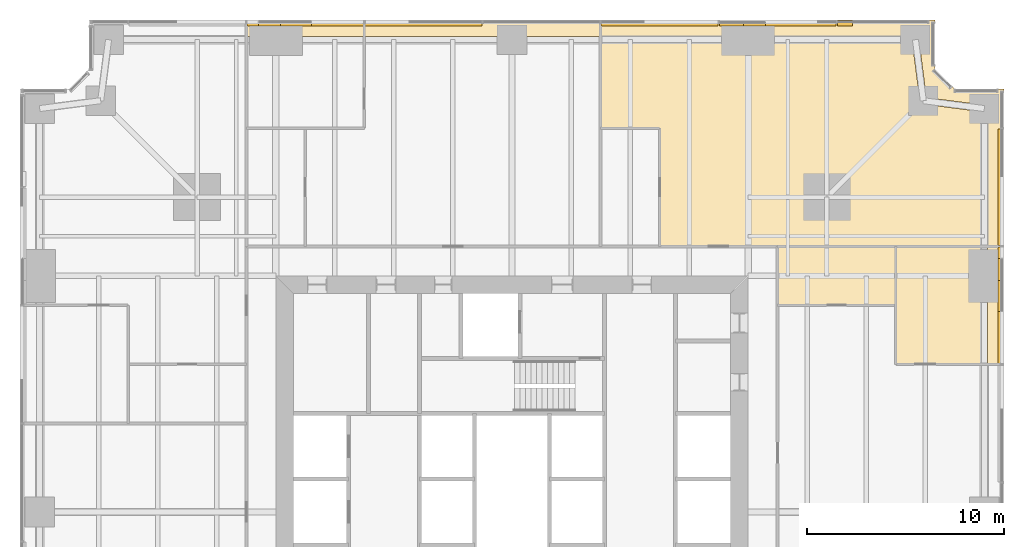
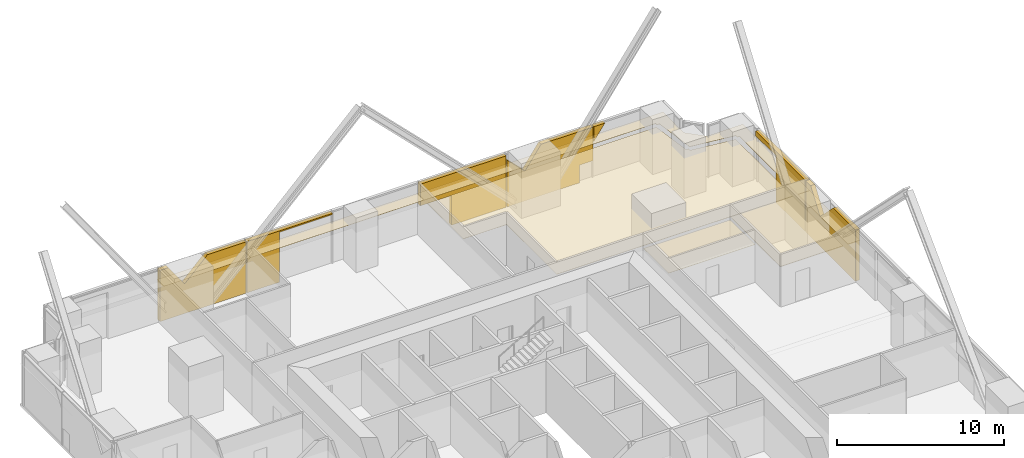
# One storey, part 13 of 13: 14 coverings.
"""IFC4 building model written with IfcOpenShell, lengths in metres."""

from ifc_helpers import new_model, si_unit, direction, frame, origin, place, context, subcontext, project, spatial, polyline, outline, extrude, material, layer, layer_set, type_object, element, save


model = new_model("IFC4")

# Units and contexts
model_context = context("Model", 3, precision=1e-05, world=origin(), true_north=direction((0.0, 1.0)))
body_context = subcontext(model_context, "Body", "Model", "MODEL_VIEW")
ifc_project = project(units=[si_unit("LENGTHUNIT", "METRE"), si_unit("AREAUNIT", "SQUARE_METRE"), si_unit("VOLUMEUNIT", "CUBIC_METRE"), si_unit("PLANEANGLEUNIT", "RADIAN"), si_unit("MASSUNIT", "GRAM", prefix="KILO")], contexts=[model_context])

# Site, building, storey
site_placement = place(None, origin())
site = spatial("IfcSite", under=ifc_project, at=site_placement, CompositionType="ELEMENT")
building_placement = place(site_placement, origin())
building = spatial("IfcBuilding", under=site, at=building_placement, Name="Fenwick Lantern Interchange", CompositionType="ELEMENT")
storey_placement = place(building_placement, frame((0.0, 0.0, 55.0)))
storey = spatial("IfcBuildingStorey", under=building, at=storey_placement, Name="L12", CompositionType="ELEMENT", Elevation=55.0)

# Coverings
ifc_material_1 = material(Name="Mineral fibre acoustic tile on suspended grid")
ifc_layer_1 = layer(ifc_material_1, 0.02001953125)
ifc_layer_set_1 = layer_set([ifc_layer_1], Name="ACOUSTIC TILE CEILING 20")
covering_type_1 = type_object("IfcCoveringType", Name="ACOUSTIC TILE CEILING 20", PredefinedType="CEILING", material=ifc_layer_set_1)
covering_1_placement = place(storey_placement, frame((0.0, 0.0, 2.89990234375)))
element("IfcCovering", 1, at=covering_1_placement, inside=storey, type_object=covering_type_1, Name="Meeting room ceiling", PredefinedType="CEILING", context=body_context, shape_type="SweptSolid", body=[
    extrude(outline(polyline([(44.5, 32.5), (48.82763671875, 32.5), (48.82763671875, 37.0), (48.82763671875, 38.5), (44.5, 38.5), (44.5, 32.5)])), origin(), (0.0, 0.0, 1.0), 0.02001953125),
])
covering_2_placement = place(storey_placement, frame((0.0, 0.0, 2.89990234375)))
element("IfcCovering", 2, at=covering_2_placement, inside=storey, type_object=covering_type_1, Name="Meeting room ceiling", PredefinedType="CEILING", context=body_context, shape_type="SweptSolid", body=[
    extrude(outline(polyline([(50.0, 38.5), (49.17236328125, 38.5), (49.17236328125, 37.0), (49.17236328125, 32.5), (50.0, 32.5), (50.0, 38.5)])), origin(), (0.0, 0.0, 1.0), 0.02001953125),
])
covering_3_placement = place(storey_placement, frame((0.0, 0.0, 2.89990234375)))
element("IfcCovering", 3, at=covering_3_placement, inside=storey, type_object=covering_type_1, Name="Office suite ceiling", PredefinedType="CEILING", context=body_context, shape_type="SweptSolid", body=[
    extrude(outline(polyline([(29.5, 48.82763671875), (29.5, 44.5), (32.5, 44.5), (32.5, 38.5), (48.82763671875, 38.5), (48.82763671875, 45.348388671875), (45.8779296875, 45.72900390625), (45.89990234375, 45.89990234375), (45.72900390625, 45.8779296875), (45.348388671875, 48.82763671875), (37.0, 48.82763671875), (29.5, 48.82763671875)])), origin(), (0.0, 0.0, 1.0), 0.02001953125),
])
covering_4_placement = place(storey_placement, frame((0.0, 0.0, 2.89990234375)))
element("IfcCovering", 4, at=covering_4_placement, inside=storey, type_object=covering_type_1, Name="Office suite ceiling", PredefinedType="CEILING", context=body_context, shape_type="SweptSolid", body=[
    extrude(outline(polyline([(29.5, 50.0), (29.5, 49.17236328125), (37.0, 49.17236328125), (45.5, 49.17236328125), (45.5, 49.0), (45.6708984375, 49.02197265625), (46.053955078125, 46.053955078125), (49.02197265625, 45.6708984375), (49.0, 45.5), (49.17236328125, 45.5), (49.17236328125, 38.5), (50.0, 38.5), (50.0, 46.5), (47.5, 46.5), (46.5, 47.5), (46.5, 50.0), (29.5, 50.0)])), origin(), (0.0, 0.0, 1.0), 0.02001953125),
])
covering_5_placement = place(storey_placement, frame((0.0, 0.0, 2.89990234375)))
element("IfcCovering", 5, at=covering_5_placement, inside=storey, type_object=covering_type_1, Name="Office suite ceiling", PredefinedType="CEILING", context=body_context, shape_type="SweptSolid", body=[
    extrude(outline(polyline([(29.5, 49.17236328125), (29.5, 50.0), (17.5, 50.0), (17.5, 49.17236328125), (25.0, 49.17236328125), (29.5, 49.17236328125)])), origin(), (0.0, 0.0, 1.0), 0.02001953125),
])
covering_6_placement = place(storey_placement, frame((0.0, 0.0, 2.89990234375)))
element("IfcCovering", 6, at=covering_6_placement, inside=storey, type_object=covering_type_1, Name="Meeting room ceiling", PredefinedType="CEILING", context=body_context, shape_type="SweptSolid", body=[
    extrude(outline(polyline([(11.5, 50.0), (11.5, 49.17236328125), (13.0, 49.17236328125), (17.5, 49.17236328125), (17.5, 50.0), (11.5, 50.0)])), origin(), (0.0, 0.0, 1.0), 0.02001953125),
])
ifc_material_2 = material(Name="Granite cladding, warm grey flamed finish, on aluminium carrier frame", Category="masonry")
ifc_layer_2 = layer(ifc_material_2, 0.300048828125)
ifc_layer_set_2 = layer_set([ifc_layer_2], Name="BRACE CASING PANEL 300")
covering_type_2 = type_object("IfcCoveringType", Name="BRACE CASING PANEL 300", PredefinedType="CLADDING", material=ifc_layer_set_2)
covering_7_placement = place(storey_placement, frame((49.89990234375, 3.60009765625, 0.0), z_axis=(0.0, 0.0, 1.0), x_axis=(0.0, 1.0, 0.0)))
element("IfcCovering", 7, at=covering_7_placement, inside=storey, type_object=covering_type_2, Name="Brace casing 05 bay 05a", PredefinedType="CLADDING", context=body_context, shape_type="SweptSolid", body=[
    extrude(outline(polyline([(28.9326171875, 0.0), (34.867431640625, 0.0), (34.867431640625, 3.75), (34.27978515625, 3.75), (33.164306640625, 2.17529296875), (31.589599609375, 3.75), (28.9326171875, 3.75), (28.9326171875, 0.0)])), frame((0.0, 0.2001953125, 0.0), z_axis=(0.0, -1.0, 0.0), x_axis=(1.0, 0.0, 0.0)), (0.0, 0.0, 1.0), 0.300048828125),
])
covering_8_placement = place(storey_placement, frame((49.89990234375, 3.60009765625, 0.0), z_axis=(0.0, 0.0, 1.0), x_axis=(0.0, 1.0, 0.0)))
element("IfcCovering", 8, at=covering_8_placement, inside=storey, type_object=covering_type_2, Name="Brace casing 05 bay 06a", PredefinedType="CLADDING", context=body_context, shape_type="SweptSolid", body=[
    extrude(outline(polyline([(34.9326171875, 0.0), (38.449951171875, 0.0), (38.449951171875, 3.409423828125), (40.867431640625, 3.409423828125), (40.867431640625, 3.75), (34.9326171875, 3.75), (34.9326171875, 0.0)])), frame((0.0, 0.2001953125, 0.0), z_axis=(0.0, -1.0, 0.0), x_axis=(1.0, 0.0, 0.0)), (0.0, 0.0, 1.0), 0.300048828125),
])
covering_9_placement = place(storey_placement, frame((46.39990234375, 49.89990234375, 2.6787109375), z_axis=(0.0, 0.0, 1.0), x_axis=(-1.0, 0.0, 0.0)))
element("IfcCovering", 9, at=covering_9_placement, inside=storey, type_object=covering_type_2, Name="Brace casing 09 bay 00a", PredefinedType="CLADDING", context=body_context, shape_type="SweptSolid", body=[
    extrude(outline(polyline([(4.867431640625, 0.0), (4.867431640625, 1.0712890625), (4.108642578125, 1.0712890625), (4.867431640625, 0.0)])), frame((0.0, 0.2001953125, 0.0), z_axis=(0.0, -1.0, 0.0), x_axis=(1.0, 0.0, 0.0)), (0.0, 0.0, 1.0), 0.300048828125),
])
covering_10_placement = place(storey_placement, frame((46.39990234375, 49.89990234375, 0.0), z_axis=(0.0, 0.0, 1.0), x_axis=(-1.0, 0.0, 0.0)))
element("IfcCovering", 10, at=covering_10_placement, inside=storey, type_object=covering_type_2, Name="Brace casing 09 bay 01a", PredefinedType="CLADDING", context=body_context, shape_type="SweptSolid", body=[
    extrude(outline(polyline([(5.847412109375, 0.0), (10.867431640625, 0.0), (10.867431640625, 3.406982421875), (9.6357421875, 2.17529296875), (8.520263671875, 3.75), (4.9326171875, 3.75), (4.9326171875, 1.295166015625), (5.847412109375, 1.295166015625), (5.847412109375, 0.0)])), frame((0.0, 0.2001953125, 0.0), z_axis=(0.0, -1.0, 0.0), x_axis=(1.0, 0.0, 0.0)), (0.0, 0.0, 1.0), 0.300048828125),
])
covering_11_placement = place(storey_placement, frame((46.39990234375, 49.89990234375, 0.0), z_axis=(0.0, 0.0, 1.0), x_axis=(-1.0, 0.0, 0.0)))
element("IfcCovering", 11, at=covering_11_placement, inside=storey, type_object=covering_type_2, Name="Brace casing 09 bay 02a", PredefinedType="CLADDING", context=body_context, shape_type="SweptSolid", body=[
    extrude(outline(polyline([(10.9326171875, 0.0), (14.711669921875, 0.0), (14.711669921875, 2.159912109375), (16.867431640625, 2.159912109375), (16.867431640625, 3.75), (10.9326171875, 3.75), (10.9326171875, 0.0)])), frame((0.0, 0.2001953125, 0.0), z_axis=(0.0, -1.0, 0.0), x_axis=(1.0, 0.0, 0.0)), (0.0, 0.0, 1.0), 0.300048828125),
])
covering_12_placement = place(storey_placement, frame((46.39990234375, 49.89990234375, 0.0), z_axis=(0.0, 0.0, 1.0), x_axis=(-1.0, 0.0, 0.0)))
element("IfcCovering", 12, at=covering_12_placement, inside=storey, type_object=covering_type_2, Name="Brace casing 09 bay 04a", PredefinedType="CLADDING", context=body_context, shape_type="SweptSolid", body=[
    extrude(outline(polyline([(26.592529296875, 0.0), (28.867431640625, 0.0), (28.867431640625, 3.75), (22.9326171875, 3.75), (22.9326171875, 3.656005859375), (26.592529296875, 3.656005859375), (26.592529296875, 0.0)])), frame((0.0, 0.2001953125, 0.0), z_axis=(0.0, -1.0, 0.0), x_axis=(1.0, 0.0, 0.0)), (0.0, 0.0, 1.0), 0.300048828125),
])
covering_13_placement = place(storey_placement, frame((46.39990234375, 49.89990234375, 0.0), z_axis=(0.0, 0.0, 1.0), x_axis=(-1.0, 0.0, 0.0)))
element("IfcCovering", 13, at=covering_13_placement, inside=storey, type_object=covering_type_2, Name="Brace casing 09 bay 05a", PredefinedType="CLADDING", context=body_context, shape_type="SweptSolid", body=[
    extrude(outline(polyline([(28.9326171875, 0.0), (34.867431640625, 0.0), (34.867431640625, 3.75), (34.27978515625, 3.75), (33.164306640625, 2.17529296875), (31.589599609375, 3.75), (28.9326171875, 3.75), (28.9326171875, 0.0)])), frame((0.0, 0.2001953125, 0.0), z_axis=(0.0, -1.0, 0.0), x_axis=(1.0, 0.0, 0.0)), (0.0, 0.0, 1.0), 0.300048828125),
])
ifc_material_3 = material(Name="Moisture resistant gypsum board on suspended frame, painted")
ifc_layer_3 = layer(ifc_material_3, 0.014892578125)
ifc_layer_set_3 = layer_set([ifc_layer_3], Name="MOISTURE RESISTANT CEILING 15")
covering_type_3 = type_object("IfcCoveringType", Name="MOISTURE RESISTANT CEILING 15", PredefinedType="CEILING", material=ifc_layer_set_3)
covering_14_placement = place(storey_placement, frame((0.0, 0.0, 2.699951171875)))
element("IfcCovering", 14, at=covering_14_placement, inside=storey, type_object=covering_type_3, Name="Pantry ceiling", PredefinedType="CEILING", context=body_context, shape_type="SweptSolid", body=[
    extrude(outline(polyline([(44.5, 35.5), (44.5, 38.5), (38.5, 38.5), (38.5, 35.5), (44.5, 35.5)])), origin(), (0.0, 0.0, 1.0), 0.01513671875),
])

save(model, "model.ifc")
